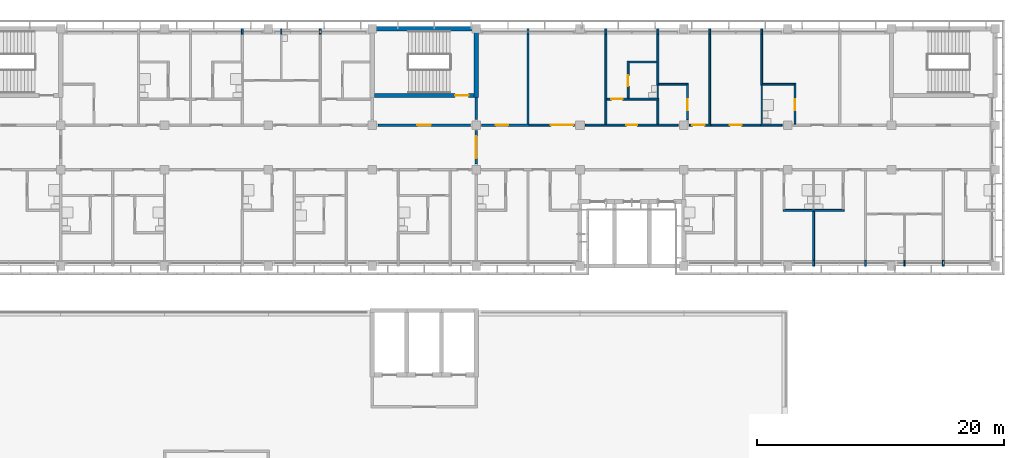
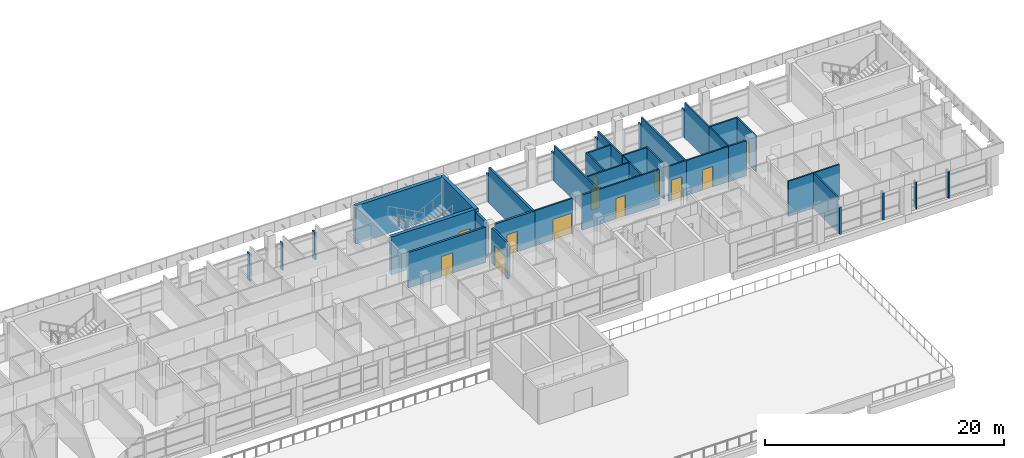
# One storey, part 26 of 46: 41 walls, 12 doors, 12 openings.
"""IFC4 building model written with IfcOpenShell, lengths in metres."""

from ifc_helpers import new_model, si_unit, direction, frame, frame_2d, origin, place, context, subcontext, project, spatial, rectangle, extrude, material, layer, layer_set, type_object, element, fill, save


model = new_model("IFC4")

# Units and contexts
model_context = context("Model", 3, precision=1e-05, world=origin(), true_north=direction((0.0, 1.0)))
body_context = subcontext(model_context, "Body", "Model", "MODEL_VIEW")
ifc_project = project(units=[si_unit("LENGTHUNIT", "METRE"), si_unit("AREAUNIT", "SQUARE_METRE"), si_unit("VOLUMEUNIT", "CUBIC_METRE"), si_unit("PLANEANGLEUNIT", "RADIAN"), si_unit("MASSUNIT", "GRAM", prefix="KILO")], contexts=[model_context])

# Site, building, storey
site_placement = place(None, origin())
site = spatial("IfcSite", under=ifc_project, at=site_placement, CompositionType="ELEMENT")
building_placement = place(site_placement, origin())
building = spatial("IfcBuilding", under=site, at=building_placement, Name="Bougainvillea Quay General Hospital", CompositionType="ELEMENT")
storey_placement = place(building_placement, frame((0.0, 0.0, 28.800048828125)))
storey = spatial("IfcBuildingStorey", under=building, at=storey_placement, Name="L06", CompositionType="ELEMENT", Elevation=28.800048828125)

# Walls
ifc_material_1 = material(Name="Gypsum board partition on steel studs", Category="steel")
ifc_layer_1 = layer(ifc_material_1, 0.10009765625)
ifc_layer_set_1 = layer_set([ifc_layer_1], Name="Gypsum board partition on steel studs")
wall_type_1 = type_object("IfcWallType", Name="Partition 100 Gypsum board partition", PredefinedType="PARTITIONING", material=ifc_layer_set_1)
for number, where, z_axis, x_axis, name in (
    (1, (127.050048828125, 159.14990234375, 0.0), (0.0, 0.0, 1.0), (0.0, 1.0, 0.0), "Partition 100 mm"),
    (2, (177.449951171875, 140.39990234375, 0.0), (0.0, 0.0, 1.0), (0.0, 1.0, 0.0), "Partition 100 mm"),
):
    element("IfcWall", number, at=place(storey_placement, frame(where, z_axis=z_axis, x_axis=x_axis)), inside=storey, type_object=wall_type_1, Name=name, PredefinedType="PARTITIONING", context=body_context, shape_type="SweptSolid", body=[
        extrude(rectangle(XDim=0.4501953125, YDim=0.10009765625, at=frame_2d((0.22509765625, 0.0))), origin(), (0.0, 0.0, 1.0), 2.780029296875),
    ])
wall_1_placement = place(storey_placement, frame((165.89990234375, 151.875, 0.0), z_axis=(0.0, 0.0, 1.0), x_axis=(0.0, 1.0, 0.0)))
element("IfcWall", 3, at=wall_1_placement, inside=storey, type_object=wall_type_1, Name="Partition 100 mm", PredefinedType="PARTITIONING", context=body_context, shape_type="SweptSolid", body=[
    extrude(rectangle(XDim=3.14990234375, YDim=0.10009765625, at=frame_2d((1.574951171875, 0.0))), origin(), (0.0, 0.0, 1.0), 3.599853515625),
])
wall_2_placement = place(storey_placement, frame((157.5, 153.97509765625, 0.0), z_axis=(0.0, 0.0, 1.0), x_axis=(0.0, 1.0, 0.0)))
element("IfcWall", 4, at=wall_2_placement, inside=storey, type_object=wall_type_1, Name="Partition 100 mm", PredefinedType="PARTITIONING", context=body_context, shape_type="SweptSolid", body=[
    extrude(rectangle(XDim=1.0498046875, YDim=0.10009765625, at=frame_2d((0.52490234375, 0.0))), origin(), (0.0, 0.0, 1.0), 3.599853515625),
])
ifc_material_2 = material(Name="Gypsum board partition on steel studs, insulated", Category="steel")
ifc_layer_2 = layer(ifc_material_2, 0.14990234375)
ifc_layer_set_2 = layer_set([ifc_layer_2], Name="Gypsum board partition on steel studs, insulated")
wall_type_2 = type_object("IfcWallType", Name="Partition 150 Gypsum board partition", PredefinedType="PARTITIONING", material=ifc_layer_set_2)
wall_3_placement = place(storey_placement, frame((130.199951171875, 159.60009765625, 0.0), z_axis=(0.0, 0.0, 1.0), x_axis=(0.0, -1.0, 0.0)))
element("IfcWall", 5, at=wall_3_placement, inside=storey, type_object=wall_type_2, Name="Partition 150 mm", PredefinedType="PARTITIONING", context=body_context, shape_type="SweptSolid", body=[
    extrude(rectangle(XDim=0.4501953125, YDim=0.14990234375, at=frame_2d((0.22509765625, 0.0))), origin(), (0.0, 0.0, 1.0), 2.780029296875),
])
wall_4_placement = place(storey_placement, frame((153.300048828125, 151.875, 0.0), z_axis=(0.0, 0.0, 1.0), x_axis=(0.0, 1.0, 0.0)))
element("IfcWall", 6, at=wall_4_placement, inside=storey, type_object=wall_type_2, Name="Partition 150 mm", PredefinedType="PARTITIONING", context=body_context, shape_type="SweptSolid", body=[
    extrude(rectangle(XDim=7.27490234375, YDim=0.14990234375, at=frame_2d((3.637451171875, 0.0))), origin(), (0.0, 0.0, 1.0), 3.599853515625),
])
wall_5_placement = place(storey_placement, frame((153.300048828125, 159.14990234375, 0.0), z_axis=(0.0, 0.0, 1.0), x_axis=(0.0, 1.0, 0.0)))
element("IfcWall", 7, at=wall_5_placement, inside=storey, type_object=wall_type_2, Name="Partition 150 mm", PredefinedType="PARTITIONING", context=body_context, shape_type="SweptSolid", body=[
    extrude(rectangle(XDim=0.4501953125, YDim=0.14990234375, at=frame_2d((0.22509765625, 0.0))), origin(), (0.0, 0.0, 1.0), 2.780029296875),
])
wall_6_placement = place(storey_placement, frame((161.699951171875, 151.875, 0.0), z_axis=(0.0, 0.0, 1.0), x_axis=(0.0, 1.0, 0.0)))
element("IfcWall", 8, at=wall_6_placement, inside=storey, type_object=wall_type_2, Name="Partition 150 mm", PredefinedType="PARTITIONING", context=body_context, shape_type="SweptSolid", body=[
    extrude(rectangle(XDim=7.27490234375, YDim=0.14990234375, at=frame_2d((3.637451171875, 0.0))), origin(), (0.0, 0.0, 1.0), 3.599853515625),
])
for number, where, z_axis, x_axis, name in (
    (9, (161.699951171875, 159.14990234375, 0.0), (0.0, 0.0, 1.0), (0.0, 1.0, 0.0), "Partition 150 mm"),
    (10, (174.300048828125, 140.39990234375, 0.0), (0.0, 0.0, 1.0), (0.0, 1.0, 0.0), "Partition 150 mm"),
    (11, (180.60009765625, 140.39990234375, 0.0), (0.0, 0.0, 1.0), (0.0, 1.0, 0.0), "Partition 150 mm"),
):
    element("IfcWall", number, at=place(storey_placement, frame(where, z_axis=z_axis, x_axis=x_axis)), inside=storey, type_object=wall_type_2, Name=name, PredefinedType="PARTITIONING", context=body_context, shape_type="SweptSolid", body=[
        extrude(rectangle(XDim=0.4501953125, YDim=0.14990234375, at=frame_2d((0.22509765625, 0.0))), origin(), (0.0, 0.0, 1.0), 2.780029296875),
    ])
wall_7_placement = place(storey_placement, frame((167.625, 144.89990234375, 0.0), z_axis=(0.0, 0.0, 1.0), x_axis=(1.0, 0.0, 0.0)))
element("IfcWall", 12, at=wall_7_placement, inside=storey, type_object=wall_type_2, Name="Partition 150 mm", PredefinedType="PARTITIONING", context=body_context, shape_type="SweptSolid", body=[
    extrude(rectangle(XDim=4.949951171875, YDim=0.14990234375, at=frame_2d((2.47509765625, 0.0))), origin(), (0.0, 0.0, 1.0), 3.599853515625),
])
wall_8_placement = place(storey_placement, frame((157.5, 155.02490234375, 0.0), z_axis=(0.0, 0.0, 1.0), x_axis=(0.0, 1.0, 0.0)))
element("IfcWall", 13, at=wall_8_placement, inside=storey, type_object=wall_type_2, Name="Partition 150 mm", PredefinedType="PARTITIONING", context=body_context, shape_type="SweptSolid", body=[
    extrude(rectangle(XDim=4.125, YDim=0.14990234375, at=frame_2d((2.0625, 0.0))), origin(), (0.0, 0.0, 1.0), 3.599853515625),
])
wall_9_placement = place(storey_placement, frame((157.5, 159.14990234375, 0.0), z_axis=(0.0, 0.0, 1.0), x_axis=(0.0, 1.0, 0.0)))
element("IfcWall", 14, at=wall_9_placement, inside=storey, type_object=wall_type_2, Name="Partition 150 mm", PredefinedType="PARTITIONING", context=body_context, shape_type="SweptSolid", body=[
    extrude(rectangle(XDim=0.4501953125, YDim=0.14990234375, at=frame_2d((0.22509765625, 0.0))), origin(), (0.0, 0.0, 1.0), 2.780029296875),
])
wall_10_placement = place(storey_placement, frame((165.89990234375, 155.02490234375, 0.0), z_axis=(0.0, 0.0, 1.0), x_axis=(0.0, 1.0, 0.0)))
element("IfcWall", 15, at=wall_10_placement, inside=storey, type_object=wall_type_2, Name="Partition 150 mm", PredefinedType="PARTITIONING", context=body_context, shape_type="SweptSolid", body=[
    extrude(rectangle(XDim=4.125, YDim=0.14990234375, at=frame_2d((2.0625, 0.0))), origin(), (0.0, 0.0, 1.0), 3.599853515625),
])
for number, where, z_axis, x_axis, name in (
    (16, (165.89990234375, 159.14990234375, 0.0), (0.0, 0.0, 1.0), (0.0, 1.0, 0.0), "Partition 150 mm"),
    (17, (170.10009765625, 140.39990234375, 0.0), (0.0, 0.0, 1.0), (0.0, 1.0, 0.0), "Partition 150 mm"),
):
    element("IfcWall", number, at=place(storey_placement, frame(where, z_axis=z_axis, x_axis=x_axis)), inside=storey, type_object=wall_type_2, Name=name, PredefinedType="PARTITIONING", context=body_context, shape_type="SweptSolid", body=[
        extrude(rectangle(XDim=0.4501953125, YDim=0.14990234375, at=frame_2d((0.22509765625, 0.0))), origin(), (0.0, 0.0, 1.0), 2.780029296875),
    ])
wall_11_placement = place(storey_placement, frame((170.10009765625, 140.85009765625, 0.0), z_axis=(0.0, 0.0, 1.0), x_axis=(0.0, 1.0, 0.0)))
element("IfcWall", 18, at=wall_11_placement, inside=storey, type_object=wall_type_2, Name="Partition 150 mm", PredefinedType="PARTITIONING", context=body_context, shape_type="SweptSolid", body=[
    extrude(rectangle(XDim=3.974853515625, YDim=0.14990234375, at=frame_2d((1.9873046875, 0.0))), origin(), (0.0, 0.0, 1.0), 3.599853515625),
])

# Wall, opening, door
wall_12_placement = place(storey_placement, frame((153.375, 153.89990234375, 0.0), z_axis=(0.0, 0.0, 1.0), x_axis=(1.0, 0.0, 0.0)))
wall_12 = element("IfcWall", 19, at=wall_12_placement, inside=storey, type_object=wall_type_2, Name="Partition 150 mm", PredefinedType="PARTITIONING", context=body_context, shape_type="SweptSolid", body=[
    extrude(rectangle(XDim=4.199951171875, YDim=0.14990234375, at=frame_2d((2.10009765625, 0.0))), origin(), (0.0, 0.0, 1.0), 3.599853515625),
])
opening_1_placement = place(wall_12_placement, frame((0.375, 0.0, 0.0)))
opening_1 = element("IfcOpeningElement", 20, at=opening_1_placement, cuts=wall_12, Name="Opening L06.081", PredefinedType="OPENING", context=body_context, shape_type="SweptSolid", body=[
    extrude(rectangle(XDim=0.89990234375, YDim=2.10009765625, at=frame_2d((0.449951171875, 1.050048828125))), frame((0.0, 0.0849609375, 0.0), z_axis=(0.0, -1.0, 0.0), x_axis=(1.0, 0.0, 0.0)), (0.0, 0.0, 1.0), 0.169921875),
])
ifc_material_3 = material(Name="Solid-core timber door leaf in steel frame", Category="steel")
door_type_1 = type_object("IfcDoorType", Name="Single leaf door 900x2100 FD30S", OperationType="NOTDEFINED", PredefinedType="DOOR", material=ifc_material_3)
door_1_placement = place(opening_1_placement, origin())
door_1 = element("IfcDoor", 21, at=door_1_placement, inside=storey, type_object=door_type_1, Name="DT16 L06.081", OperationType="SINGLE_SWING_LEFT", OverallHeight=2.10009765625, OverallWidth=0.89990234375, PredefinedType="DOOR", context=body_context, shape_type="SweptSolid", body=[
    extrude(rectangle(XDim=0.89990234375, YDim=2.10009765625, at=frame_2d((0.449951171875, 1.050048828125))), frame((0.0, 0.02490234375, 0.0), z_axis=(0.0, -1.0, 0.0), x_axis=(1.0, 0.0, 0.0)), (0.0, 0.0, 1.0), 0.050048828125),
])
fill(opening_1, door_1)

wall_13_placement = place(storey_placement, frame((159.89990234375, 152.25, 0.0), z_axis=(0.0, 0.0, 1.0), x_axis=(0.0, 1.0, 0.0)))
wall_13 = element("IfcWall", 22, at=wall_13_placement, inside=storey, type_object=wall_type_2, Name="Partition 150 mm", PredefinedType="PARTITIONING", context=body_context, shape_type="SweptSolid", body=[
    extrude(rectangle(XDim=2.925048828125, YDim=0.14990234375, at=frame_2d((1.46240234375, 0.0))), origin(), (0.0, 0.0, 1.0), 3.599853515625),
])
opening_2_placement = place(wall_13_placement, frame((0.75, 0.0, 0.0)))
opening_2 = element("IfcOpeningElement", 23, at=opening_2_placement, cuts=wall_13, Name="Opening L06.084", PredefinedType="OPENING", context=body_context, shape_type="SweptSolid", body=[
    extrude(rectangle(XDim=0.89990234375, YDim=2.10009765625, at=frame_2d((0.449951171875, 1.050048828125))), frame((0.0, 0.0849609375, 0.0), z_axis=(0.0, -1.0, 0.0), x_axis=(1.0, 0.0, 0.0)), (0.0, 0.0, 1.0), 0.169921875),
])
door_type_2 = type_object("IfcDoorType", Name="Single leaf door 900x2100", OperationType="NOTDEFINED", PredefinedType="DOOR", material=ifc_material_3)
door_2_placement = place(opening_2_placement, origin())
door_2 = element("IfcDoor", 24, at=door_2_placement, inside=storey, type_object=door_type_2, Name="DT07 L06.084", OperationType="SINGLE_SWING_LEFT", OverallHeight=2.10009765625, OverallWidth=0.89990234375, PredefinedType="DOOR", context=body_context, shape_type="SweptSolid", body=[
    extrude(rectangle(XDim=0.89990234375, YDim=2.10009765625, at=frame_2d((0.449951171875, 1.050048828125))), frame((0.0, 0.02490234375, 0.0), z_axis=(0.0, -1.0, 0.0), x_axis=(1.0, 0.0, 0.0)), (0.0, 0.0, 1.0), 0.050048828125),
])
fill(opening_2, door_2)

wall_14_placement = place(storey_placement, frame((168.60009765625, 151.875, 0.0), z_axis=(0.0, 0.0, 1.0), x_axis=(0.0, 1.0, 0.0)))
wall_14 = element("IfcWall", 25, at=wall_14_placement, inside=storey, type_object=wall_type_2, Name="Partition 150 mm", PredefinedType="PARTITIONING", context=body_context, shape_type="SweptSolid", body=[
    extrude(rectangle(XDim=3.300048828125, YDim=0.14990234375, at=frame_2d((1.64990234375, 0.0))), origin(), (0.0, 0.0, 1.0), 3.599853515625),
])
opening_3_placement = place(wall_14_placement, frame((1.125, 0.0, 0.0)))
opening_3 = element("IfcOpeningElement", 26, at=opening_3_placement, cuts=wall_14, Name="Opening L06.087", PredefinedType="OPENING", context=body_context, shape_type="SweptSolid", body=[
    extrude(rectangle(XDim=0.89990234375, YDim=2.10009765625, at=frame_2d((0.449951171875, 1.050048828125))), frame((0.0, 0.0849609375, 0.0), z_axis=(0.0, -1.0, 0.0), x_axis=(1.0, 0.0, 0.0)), (0.0, 0.0, 1.0), 0.169921875),
])
door_3_placement = place(opening_3_placement, origin())
door_3 = element("IfcDoor", 27, at=door_3_placement, inside=storey, type_object=door_type_2, Name="DT07 L06.087", OperationType="SINGLE_SWING_LEFT", OverallHeight=2.10009765625, OverallWidth=0.89990234375, PredefinedType="DOOR", context=body_context, shape_type="SweptSolid", body=[
    extrude(rectangle(XDim=0.89990234375, YDim=2.10009765625, at=frame_2d((0.449951171875, 1.050048828125))), frame((0.0, 0.02490234375, 0.0), z_axis=(0.0, -1.0, 0.0), x_axis=(1.0, 0.0, 0.0)), (0.0, 0.0, 1.0), 0.050048828125),
])
fill(opening_3, door_3)

wall_15_placement = place(storey_placement, frame((155.10009765625, 153.97509765625, 0.0), z_axis=(0.0, 0.0, 1.0), x_axis=(0.0, 1.0, 0.0)))
wall_15 = element("IfcWall", 28, at=wall_15_placement, inside=storey, type_object=wall_type_2, Name="Partition 150 mm", PredefinedType="PARTITIONING", context=body_context, shape_type="SweptSolid", body=[
    extrude(rectangle(XDim=3.0, YDim=0.14990234375, at=frame_2d((1.5, 0.0))), origin(), (0.0, 0.0, 1.0), 3.599853515625),
])
opening_4_placement = place(wall_15_placement, frame((0.97509765625, 0.0, 0.0)))
opening_4 = element("IfcOpeningElement", 29, at=opening_4_placement, cuts=wall_15, Name="Opening L06.082", PredefinedType="OPENING", context=body_context, shape_type="SweptSolid", body=[
    extrude(rectangle(XDim=0.89990234375, YDim=2.10009765625, at=frame_2d((0.449951171875, 1.050048828125))), frame((0.0, 0.0849609375, 0.0), z_axis=(0.0, -1.0, 0.0), x_axis=(1.0, 0.0, 0.0)), (0.0, 0.0, 1.0), 0.169921875),
])
door_4_placement = place(opening_4_placement, frame((0.89990234375, 0.0, 0.0), z_axis=(0.0, 0.0, 1.0), x_axis=(-1.0, 0.0, 0.0)))
door_4 = element("IfcDoor", 30, at=door_4_placement, inside=storey, type_object=door_type_2, Name="DT07 L06.082", OperationType="SINGLE_SWING_RIGHT", OverallHeight=2.10009765625, OverallWidth=0.89990234375, PredefinedType="DOOR", context=body_context, shape_type="SweptSolid", body=[
    extrude(rectangle(XDim=0.89990234375, YDim=2.10009765625, at=frame_2d((0.449951171875, 1.050048828125))), frame((0.0, 0.02490234375, 0.0), z_axis=(0.0, -1.0, 0.0), x_axis=(1.0, 0.0, 0.0)), (0.0, 0.0, 1.0), 0.050048828125),
])
fill(opening_4, door_4)

# Walls
wall_16_placement = place(storey_placement, frame((123.89990234375, 159.14990234375, 0.0), z_axis=(0.0, 0.0, 1.0), x_axis=(0.0, 1.0, 0.0)))
element("IfcWall", 31, at=wall_16_placement, inside=storey, type_object=wall_type_2, Name="Partition 150 mm", PredefinedType="PARTITIONING", context=body_context, shape_type="SweptSolid", body=[
    extrude(rectangle(XDim=0.4501953125, YDim=0.14990234375, at=frame_2d((0.22509765625, 0.0))), origin(), (0.0, 0.0, 1.0), 2.780029296875),
])
wall_17_placement = place(storey_placement, frame((165.97509765625, 155.10009765625, 0.0), z_axis=(0.0, 0.0, 1.0), x_axis=(1.0, 0.0, 0.0)))
element("IfcWall", 32, at=wall_17_placement, inside=storey, type_object=wall_type_2, Name="Partition 150 mm", PredefinedType="PARTITIONING", context=body_context, shape_type="SweptSolid", body=[
    extrude(rectangle(XDim=2.5498046875, YDim=0.14990234375, at=frame_2d((1.27490234375, 0.0))), origin(), (0.0, 0.0, 1.0), 3.599853515625),
])
for number, where, z_axis, x_axis, name in (
    (33, (155.175048828125, 156.89990234375, 0.0), (0.0, 0.0, 1.0), (1.0, 0.0, 0.0), "Partition 150 mm"),
    (34, (157.574951171875, 155.10009765625, 0.0), (0.0, 0.0, 1.0), (1.0, 0.0, 0.0), "Partition 150 mm"),
):
    element("IfcWall", number, at=place(storey_placement, frame(where, z_axis=z_axis, x_axis=x_axis)), inside=storey, type_object=wall_type_2, Name=name, PredefinedType="PARTITIONING", context=body_context, shape_type="SweptSolid", body=[
        extrude(rectangle(XDim=2.25, YDim=0.14990234375, at=frame_2d((1.125, 0.0))), origin(), (0.0, 0.0, 1.0), 3.599853515625),
    ])
wall_18_placement = place(storey_placement, frame((157.5, 151.875, 0.0), z_axis=(0.0, 0.0, 1.0), x_axis=(0.0, 1.0, 0.0)))
element("IfcWall", 35, at=wall_18_placement, inside=storey, type_object=wall_type_2, Name="Partition 150 mm", PredefinedType="PARTITIONING", context=body_context, shape_type="SweptSolid", body=[
    extrude(rectangle(XDim=1.949951171875, YDim=0.14990234375, at=frame_2d((0.97509765625, 0.0))), origin(), (0.0, 0.0, 1.0), 3.599853515625),
])

# Wall, opening, door
ifc_layer_3 = layer(ifc_material_2, 0.14990234375)
ifc_layer_set_3 = layer_set([ifc_layer_3], Name="Gypsum board partition on steel studs, insulated")
wall_type_3 = type_object("IfcWallType", Name="Partition 150 Gypsum board partition EI 30", PredefinedType="PARTITIONING", material=ifc_layer_set_3)
wall_19_placement = place(storey_placement, frame((161.77490234375, 151.800048828125, 0.0), z_axis=(0.0, 0.0, 1.0), x_axis=(-1.0, 0.0, 0.0)))
wall_19 = element("IfcWall", 36, at=wall_19_placement, inside=storey, type_object=wall_type_3, Name="Partition 150 mm EI 30", PredefinedType="PARTITIONING", context=body_context, shape_type="SweptSolid", body=[
    extrude(rectangle(XDim=1.724853515625, YDim=0.14990234375, at=frame_2d((0.8623046875, 0.0))), origin(), (0.0, 0.0, 1.0), 3.599853515625),
])
opening_5_placement = place(wall_19_placement, frame((0.47509765625, 0.0, 0.0)))
opening_5 = element("IfcOpeningElement", 37, at=opening_5_placement, cuts=wall_19, Name="Opening L06.083", PredefinedType="OPENING", context=body_context, shape_type="SweptSolid", body=[
    extrude(rectangle(XDim=1.0, YDim=2.10009765625, at=frame_2d((0.5, 1.050048828125))), frame((0.0, 0.0849609375, 0.0), z_axis=(0.0, -1.0, 0.0), x_axis=(1.0, 0.0, 0.0)), (0.0, 0.0, 1.0), 0.169921875),
])
door_type_3 = type_object("IfcDoorType", Name="Single leaf door 1000x2100 FD30S", OperationType="NOTDEFINED", PredefinedType="DOOR", material=ifc_material_3)
door_5_placement = place(opening_5_placement, frame((1.0, 0.0, 0.0), z_axis=(0.0, 0.0, 1.0), x_axis=(-1.0, 0.0, 0.0)))
door_5 = element("IfcDoor", 38, at=door_5_placement, inside=storey, type_object=door_type_3, Name="DT15 L06.083", OperationType="SINGLE_SWING_LEFT", OverallHeight=2.10009765625, OverallWidth=1.0, PredefinedType="DOOR", context=body_context, shape_type="SweptSolid", body=[
    extrude(rectangle(XDim=1.0, YDim=2.10009765625, at=frame_2d((0.5, 1.050048828125))), frame((0.0, 0.02490234375, 0.0), z_axis=(0.0, -1.0, 0.0), x_axis=(1.0, 0.0, 0.0)), (0.0, 0.0, 1.0), 0.050048828125),
])
fill(opening_5, door_5)

wall_20_placement = place(storey_placement, frame((159.14990234375, 151.800048828125, 0.0), z_axis=(0.0, 0.0, 1.0), x_axis=(-1.0, 0.0, 0.0)))
wall_20 = element("IfcWall", 39, at=wall_20_placement, inside=storey, type_object=wall_type_3, Name="Partition 150 mm EI 30", PredefinedType="PARTITIONING", context=body_context, shape_type="SweptSolid", body=[
    extrude(rectangle(XDim=7.5, YDim=0.14990234375, at=frame_2d((3.75, 0.0))), origin(), (0.0, 0.0, 1.0), 3.599853515625),
])
opening_6_placement = place(wall_20_placement, frame((3.300048828125, 0.0, 0.0)))
opening_6 = element("IfcOpeningElement", 40, at=opening_6_placement, cuts=wall_20, Name="Opening L06.080", PredefinedType="OPENING", context=body_context, shape_type="SweptSolid", body=[
    extrude(rectangle(XDim=0.89990234375, YDim=2.10009765625, at=frame_2d((0.449951171875, 1.050048828125))), frame((0.0, 0.0849609375, 0.0), z_axis=(0.0, -1.0, 0.0), x_axis=(1.0, 0.0, 0.0)), (0.0, 0.0, 1.0), 0.169921875),
])
door_6_placement = place(opening_6_placement, frame((0.89990234375, 0.0, 0.0), z_axis=(0.0, 0.0, 1.0), x_axis=(-1.0, 0.0, 0.0)))
door_6 = element("IfcDoor", 41, at=door_6_placement, inside=storey, type_object=door_type_1, Name="DT16 L06.080", OperationType="SINGLE_SWING_RIGHT", OverallHeight=2.10009765625, OverallWidth=0.89990234375, PredefinedType="DOOR", context=body_context, shape_type="SweptSolid", body=[
    extrude(rectangle(XDim=0.89990234375, YDim=2.10009765625, at=frame_2d((0.449951171875, 1.050048828125))), frame((0.0, 0.02490234375, 0.0), z_axis=(0.0, -1.0, 0.0), x_axis=(1.0, 0.0, 0.0)), (0.0, 0.0, 1.0), 0.050048828125),
])
fill(opening_6, door_6)

wall_21_placement = place(storey_placement, frame((150.75, 151.800048828125, 0.0), z_axis=(0.0, 0.0, 1.0), x_axis=(-1.0, 0.0, 0.0)))
wall_21 = element("IfcWall", 42, at=wall_21_placement, inside=storey, type_object=wall_type_3, Name="Partition 150 mm EI 30", PredefinedType="PARTITIONING", context=body_context, shape_type="SweptSolid", body=[
    extrude(rectangle(XDim=3.64990234375, YDim=0.14990234375, at=frame_2d((1.824951171875, 0.0))), origin(), (0.0, 0.0, 1.0), 3.599853515625),
])
opening_7_placement = place(wall_21_placement, frame((0.10009765625, 0.0, 0.0)))
opening_7 = element("IfcOpeningElement", 43, at=opening_7_placement, cuts=wall_21, Name="Opening L06.079", PredefinedType="OPENING", context=body_context, shape_type="SweptSolid", body=[
    extrude(rectangle(XDim=1.800048828125, YDim=2.10009765625, at=frame_2d((0.89990234375, 1.050048828125))), frame((0.0, 0.0849609375, 0.0), z_axis=(0.0, -1.0, 0.0), x_axis=(1.0, 0.0, 0.0)), (0.0, 0.0, 1.0), 0.169921875),
])
ifc_material_4 = material(Name="Solid-core timber door leaves in steel frame", Category="steel")
door_type_4 = type_object("IfcDoorType", Name="Double leaf door 1800x2100 FD30S", OperationType="DOUBLE_DOOR_SINGLE_SWING", PredefinedType="DOOR", material=ifc_material_4)
door_7_placement = place(opening_7_placement, frame((1.800048828125, 0.0, 0.0), z_axis=(0.0, 0.0, 1.0), x_axis=(-1.0, 0.0, 0.0)))
door_7 = element("IfcDoor", 44, at=door_7_placement, inside=storey, type_object=door_type_4, Name="DT17 L06.079", OperationType="DOUBLE_DOOR_SINGLE_SWING", OverallHeight=2.10009765625, OverallWidth=1.800048828125, PredefinedType="DOOR", context=body_context, shape_type="SweptSolid", body=[
    extrude(rectangle(XDim=1.800048828125, YDim=2.10009765625, at=frame_2d((0.89990234375, 1.050048828125))), frame((0.0, 0.02490234375, 0.0), z_axis=(0.0, -1.0, 0.0), x_axis=(1.0, 0.0, 0.0)), (0.0, 0.0, 1.0), 0.050048828125),
])
fill(opening_7, door_7)

# Wall
wall_22_placement = place(storey_placement, frame((165.824951171875, 151.800048828125, 0.0), z_axis=(0.0, 0.0, 1.0), x_axis=(1.0, 0.0, 0.0)))
element("IfcWall", 45, at=wall_22_placement, inside=storey, type_object=wall_type_3, Name="Partition 150 mm EI 30", PredefinedType="PARTITIONING", context=body_context, shape_type="SweptSolid", body=[
    extrude(rectangle(XDim=1.72509765625, YDim=0.14990234375, at=frame_2d((0.862548828125, 0.0))), origin(), (0.0, 0.0, 1.0), 3.599853515625),
])

# Wall, opening, door
ifc_layer_4 = layer(ifc_material_2, 0.14990234375)
ifc_layer_set_4 = layer_set([ifc_layer_4], Name="Gypsum board partition on steel studs, insulated")
wall_type_4 = type_object("IfcWallType", Name="Partition 150 Gypsum board partition EI 60", PredefinedType="PARTITIONING", material=ifc_layer_set_4)
wall_23_placement = place(storey_placement, frame((161.77490234375, 151.800048828125, 0.0), z_axis=(0.0, 0.0, 1.0), x_axis=(1.0, 0.0, 0.0)))
wall_23 = element("IfcWall", 46, at=wall_23_placement, inside=storey, type_object=wall_type_4, Name="Partition 150 mm EI 60", PredefinedType="PARTITIONING", context=body_context, shape_type="SweptSolid", body=[
    extrude(rectangle(XDim=4.050048828125, YDim=0.14990234375, at=frame_2d((2.02490234375, 0.0))), origin(), (0.0, 0.0, 1.0), 3.599853515625),
])
opening_8_placement = place(wall_23_placement, frame((1.52490234375, 0.0, 0.0)))
opening_8 = element("IfcOpeningElement", 47, at=opening_8_placement, cuts=wall_23, Name="Opening L06.085", PredefinedType="OPENING", context=body_context, shape_type="SweptSolid", body=[
    extrude(rectangle(XDim=1.0, YDim=2.10009765625, at=frame_2d((0.5, 1.050048828125))), frame((0.0, 0.0849609375, 0.0), z_axis=(0.0, -1.0, 0.0), x_axis=(1.0, 0.0, 0.0)), (0.0, 0.0, 1.0), 0.169921875),
])
door_type_5 = type_object("IfcDoorType", Name="Single leaf door 1000x2100 FD60", OperationType="NOTDEFINED", PredefinedType="DOOR", material=ifc_material_3)
door_8_placement = place(opening_8_placement, origin())
door_8 = element("IfcDoor", 48, at=door_8_placement, inside=storey, type_object=door_type_5, Name="DT14 L06.085", OperationType="SINGLE_SWING_LEFT", OverallHeight=2.10009765625, OverallWidth=1.0, PredefinedType="DOOR", context=body_context, shape_type="SweptSolid", body=[
    extrude(rectangle(XDim=1.0, YDim=2.10009765625, at=frame_2d((0.5, 1.050048828125))), frame((0.0, 0.02490234375, 0.0), z_axis=(0.0, -1.0, 0.0), x_axis=(1.0, 0.0, 0.0)), (0.0, 0.0, 1.0), 0.050048828125),
])
fill(opening_8, door_8)

# Wall
ifc_material_5 = material(Name="Fire-rated autoclaved aerated block wall, plastered")
ifc_layer_5 = layer(ifc_material_5, 0.199951171875)
ifc_layer_set_5 = layer_set([ifc_layer_5], Name="Fire-rated autoclaved aerated block wall, plastered")
wall_type_5 = type_object("IfcWallType", Name="Partition 200 Fire-rated autoclaved aerated block wall EI 120", PredefinedType="SOLIDWALL", material=ifc_layer_set_5)
wall_24_placement = place(storey_placement, frame((142.800048828125, 154.02490234375, 0.0), z_axis=(0.0, 0.0, 1.0), x_axis=(0.0, -1.0, 0.0)))
element("IfcWall", 49, at=wall_24_placement, inside=storey, type_object=wall_type_5, Name="Partition 200 mm EI 120", PredefinedType="SOLIDWALL", context=body_context, shape_type="SweptSolid", body=[
    extrude(rectangle(XDim=1.77490234375, YDim=0.199951171875, at=frame_2d((0.887451171875, 0.0))), origin(), (0.0, 0.0, 1.0), 3.599853515625),
])

# Wall, opening, door
wall_25_placement = place(storey_placement, frame((142.800048828125, 151.35009765625, 0.0), z_axis=(0.0, 0.0, 1.0), x_axis=(0.0, -1.0, 0.0)))
wall_25 = element("IfcWall", 50, at=wall_25_placement, inside=storey, type_object=wall_type_5, Name="Partition 200 mm EI 120", PredefinedType="SOLIDWALL", context=body_context, shape_type="SweptSolid", body=[
    extrude(rectangle(XDim=2.7001953125, YDim=0.199951171875, at=frame_2d((1.35009765625, 0.0))), origin(), (0.0, 0.0, 1.0), 3.599853515625),
])
opening_9_placement = place(wall_25_placement, frame((0.449951171875, 0.0, 0.0)))
opening_9 = element("IfcOpeningElement", 51, at=opening_9_placement, cuts=wall_25, Name="Opening L06.003", PredefinedType="OPENING", context=body_context, shape_type="SweptSolid", body=[
    extrude(rectangle(XDim=1.800048828125, YDim=2.10009765625, at=frame_2d((0.89990234375, 1.050048828125))), frame((0.0, 0.10986328125, 0.0), z_axis=(0.0, -1.0, 0.0), x_axis=(1.0, 0.0, 0.0)), (0.0, 0.0, 1.0), 0.219970703125),
])
ifc_material_6 = material(Name="Steel fire door leaves in steel frame", Category="steel")
door_type_6 = type_object("IfcDoorType", Name="Steel double leaf door 1800x2100 FD90", OperationType="DOUBLE_DOOR_SINGLE_SWING", PredefinedType="DOOR", material=ifc_material_6)
door_9_placement = place(opening_9_placement, origin())
door_9 = element("IfcDoor", 52, at=door_9_placement, inside=storey, type_object=door_type_6, Name="DT03 L06.003", OperationType="DOUBLE_DOOR_SINGLE_SWING", OverallHeight=2.10009765625, OverallWidth=1.800048828125, PredefinedType="DOOR", context=body_context, shape_type="SweptSolid", body=[
    extrude(rectangle(XDim=1.800048828125, YDim=2.10009765625, at=frame_2d((0.89990234375, 1.050048828125))), frame((0.0, 0.02490234375, 0.0), z_axis=(0.0, -1.0, 0.0), x_axis=(1.0, 0.0, 0.0)), (0.0, 0.0, 1.0), 0.050048828125),
])
fill(opening_9, door_9)

wall_26_placement = place(storey_placement, frame((134.85009765625, 151.800048828125, 0.0), z_axis=(0.0, 0.0, 1.0), x_axis=(1.0, 0.0, 0.0)))
wall_26 = element("IfcWall", 53, at=wall_26_placement, inside=storey, type_object=wall_type_5, Name="Partition 200 mm EI 120", PredefinedType="SOLIDWALL", context=body_context, shape_type="SweptSolid", body=[
    extrude(rectangle(XDim=7.5, YDim=0.199951171875, at=frame_2d((3.75, 0.0))), origin(), (0.0, 0.0, 1.0), 3.599853515625),
])
opening_10_placement = place(wall_26_placement, frame((3.199951171875, 0.0, 0.0)))
opening_10 = element("IfcOpeningElement", 54, at=opening_10_placement, cuts=wall_26, Name="Opening L06.114", PredefinedType="OPENING", context=body_context, shape_type="SweptSolid", body=[
    extrude(rectangle(XDim=1.10009765625, YDim=2.10009765625, at=frame_2d((0.550048828125, 1.050048828125))), frame((0.0, 0.10986328125, 0.0), z_axis=(0.0, -1.0, 0.0), x_axis=(1.0, 0.0, 0.0)), (0.0, 0.0, 1.0), 0.219970703125),
])
ifc_material_7 = material(Name="Steel fire door leaf in steel frame", Category="steel")
door_type_7 = type_object("IfcDoorType", Name="Steel single leaf door 1100x2100 FD60", OperationType="NOTDEFINED", PredefinedType="DOOR", material=ifc_material_7)
door_10_placement = place(opening_10_placement, origin())
door_10 = element("IfcDoor", 55, at=door_10_placement, inside=storey, type_object=door_type_7, Name="DT04 L06.114", OperationType="SINGLE_SWING_RIGHT", OverallHeight=2.10009765625, OverallWidth=1.10009765625, PredefinedType="DOOR", context=body_context, shape_type="SweptSolid", body=[
    extrude(rectangle(XDim=1.10009765625, YDim=2.10009765625, at=frame_2d((0.550048828125, 1.050048828125))), frame((0.0, 0.02490234375, 0.0), z_axis=(0.0, -1.0, 0.0), x_axis=(1.0, 0.0, 0.0)), (0.0, 0.0, 1.0), 0.050048828125),
])
fill(opening_10, door_10)

wall_27_placement = place(storey_placement, frame((143.25, 151.800048828125, 0.0), z_axis=(0.0, 0.0, 1.0), x_axis=(1.0, 0.0, 0.0)))
wall_27 = element("IfcWall", 56, at=wall_27_placement, inside=storey, type_object=wall_type_5, Name="Partition 200 mm EI 120", PredefinedType="SOLIDWALL", context=body_context, shape_type="SweptSolid", body=[
    extrude(rectangle(XDim=3.85009765625, YDim=0.199951171875, at=frame_2d((1.925048828125, 0.0))), origin(), (0.0, 0.0, 1.0), 3.599853515625),
])
opening_11_placement = place(wall_27_placement, frame((1.14990234375, 0.0, 0.0)))
opening_11 = element("IfcOpeningElement", 57, at=opening_11_placement, cuts=wall_27, Name="Opening L06.103", PredefinedType="OPENING", context=body_context, shape_type="SweptSolid", body=[
    extrude(rectangle(XDim=1.0, YDim=2.10009765625, at=frame_2d((0.5, 1.050048828125))), frame((0.0, 0.10986328125, 0.0), z_axis=(0.0, -1.0, 0.0), x_axis=(1.0, 0.0, 0.0)), (0.0, 0.0, 1.0), 0.219970703125),
])
door_type_8 = type_object("IfcDoorType", Name="Steel single leaf door 1000x2100 FD90", OperationType="NOTDEFINED", PredefinedType="DOOR", material=ifc_material_7)
door_11_placement = place(opening_11_placement, origin())
door_11 = element("IfcDoor", 58, at=door_11_placement, inside=storey, type_object=door_type_8, Name="DT11 L06.103", OperationType="SINGLE_SWING_LEFT", OverallHeight=2.10009765625, OverallWidth=1.0, PredefinedType="DOOR", context=body_context, shape_type="SweptSolid", body=[
    extrude(rectangle(XDim=1.0, YDim=2.10009765625, at=frame_2d((0.5, 1.050048828125))), frame((0.0, 0.02490234375, 0.0), z_axis=(0.0, -1.0, 0.0), x_axis=(1.0, 0.0, 0.0)), (0.0, 0.0, 1.0), 0.050048828125),
])
fill(opening_11, door_11)

# Walls
wall_28_placement = place(storey_placement, frame((147.0, 151.89990234375, 0.0), z_axis=(0.0, 0.0, 1.0), x_axis=(0.0, 1.0, 0.0)))
element("IfcWall", 59, at=wall_28_placement, inside=storey, type_object=wall_type_5, Name="Partition 200 mm EI 120", PredefinedType="SOLIDWALL", context=body_context, shape_type="SweptSolid", body=[
    extrude(rectangle(XDim=7.25, YDim=0.199951171875, at=frame_2d((3.625, 0.0))), origin(), (0.0, 0.0, 1.0), 3.599853515625),
])
wall_29_placement = place(storey_placement, frame((147.0, 159.14990234375, 0.0), z_axis=(0.0, 0.0, 1.0), x_axis=(0.0, 1.0, 0.0)))
element("IfcWall", 60, at=wall_29_placement, inside=storey, type_object=wall_type_5, Name="Partition 200 mm EI 120", PredefinedType="SOLIDWALL", context=body_context, shape_type="SweptSolid", body=[
    extrude(rectangle(XDim=0.4501953125, YDim=0.199951171875, at=frame_2d((0.22509765625, 0.0))), origin(), (0.0, 0.0, 1.0), 2.780029296875),
])
ifc_material_8 = material(Name="Concrete C40", Category="concrete")
ifc_layer_6 = layer(ifc_material_8, 0.35009765625)
ifc_layer_set_6 = layer_set([ifc_layer_6], Name="Concrete C40")
wall_type_6 = type_object("IfcWallType", Name="RC SHEAR WALL 350 C40", PredefinedType="SHEAR", material=ifc_layer_set_6)
wall_30_placement = place(storey_placement, frame((134.22509765625, 159.60009765625, 0.0), z_axis=(0.0, 0.0, 1.0), x_axis=(1.0, 0.0, 0.0)))
element("IfcWall", 61, at=wall_30_placement, inside=storey, type_object=wall_type_6, Name="Shear wall L06", PredefinedType="SHEAR", context=body_context, shape_type="SweptSolid", body=[
    extrude(rectangle(XDim=8.39990234375, YDim=0.35009765625, at=frame_2d((4.199951171875, 0.0))), origin(), (0.0, 0.0, 1.0), 3.89990234375),
])

# Wall, opening, door
wall_31_placement = place(storey_placement, frame((134.574951171875, 154.199951171875, 0.0), z_axis=(0.0, 0.0, 1.0), x_axis=(1.0, 0.0, 0.0)))
wall_31 = element("IfcWall", 62, at=wall_31_placement, inside=storey, type_object=wall_type_6, Name="Shear wall L06", PredefinedType="SHEAR", context=body_context, shape_type="SweptSolid", body=[
    extrude(rectangle(XDim=8.050048828125, YDim=0.35009765625, at=frame_2d((4.02490234375, 0.0))), origin(), (0.0, 0.0, 1.0), 3.89990234375),
])
opening_12_placement = place(wall_31_placement, frame((6.52490234375, 0.0, 0.0)))
opening_12 = element("IfcOpeningElement", 63, at=opening_12_placement, cuts=wall_31, Name="Opening L06.113", PredefinedType="OPENING", context=body_context, shape_type="SweptSolid", body=[
    extrude(rectangle(XDim=1.10009765625, YDim=2.10009765625, at=frame_2d((0.550048828125, 1.050048828125))), frame((0.0, 0.18505859375, 0.0), z_axis=(0.0, -1.0, 0.0), x_axis=(1.0, 0.0, 0.0)), (0.0, 0.0, 1.0), 0.3701171875),
])
door_12_placement = place(opening_12_placement, origin())
door_12 = element("IfcDoor", 64, at=door_12_placement, inside=storey, type_object=door_type_7, Name="DT04 L06.113", OperationType="SINGLE_SWING_RIGHT", OverallHeight=2.10009765625, OverallWidth=1.10009765625, PredefinedType="DOOR", context=body_context, shape_type="SweptSolid", body=[
    extrude(rectangle(XDim=1.10009765625, YDim=2.10009765625, at=frame_2d((0.550048828125, 1.050048828125))), frame((0.0, 0.02490234375, 0.0), z_axis=(0.0, -1.0, 0.0), x_axis=(1.0, 0.0, 0.0)), (0.0, 0.0, 1.0), 0.050048828125),
])
fill(opening_12, door_12)

# Wall
wall_32_placement = place(storey_placement, frame((142.800048828125, 154.02490234375, 0.0), z_axis=(0.0, 0.0, 1.0), x_axis=(0.0, 1.0, 0.0)))
element("IfcWall", 65, at=wall_32_placement, inside=storey, type_object=wall_type_6, Name="Shear wall L06", PredefinedType="SHEAR", context=body_context, shape_type="SweptSolid", body=[
    extrude(rectangle(XDim=5.75, YDim=0.35009765625, at=frame_2d((2.875, 0.0))), origin(), (0.0, 0.0, 1.0), 3.89990234375),
])

save(model, "model.ifc")
